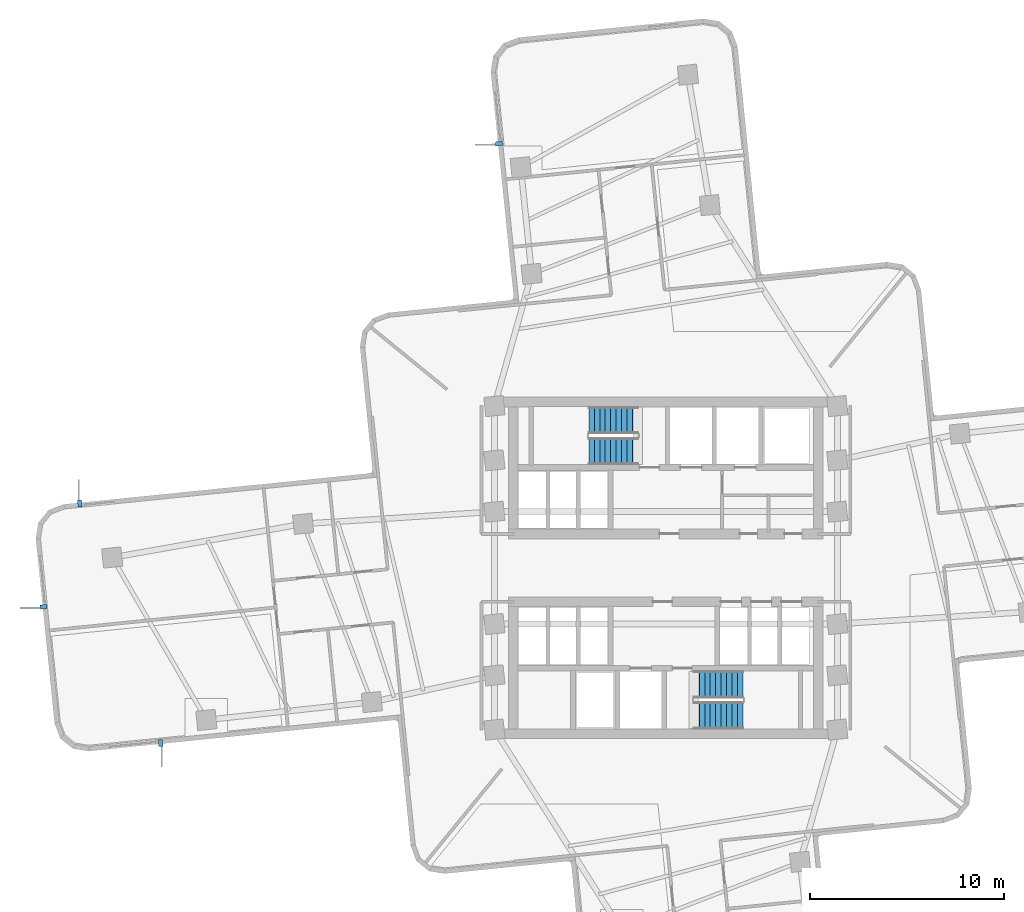
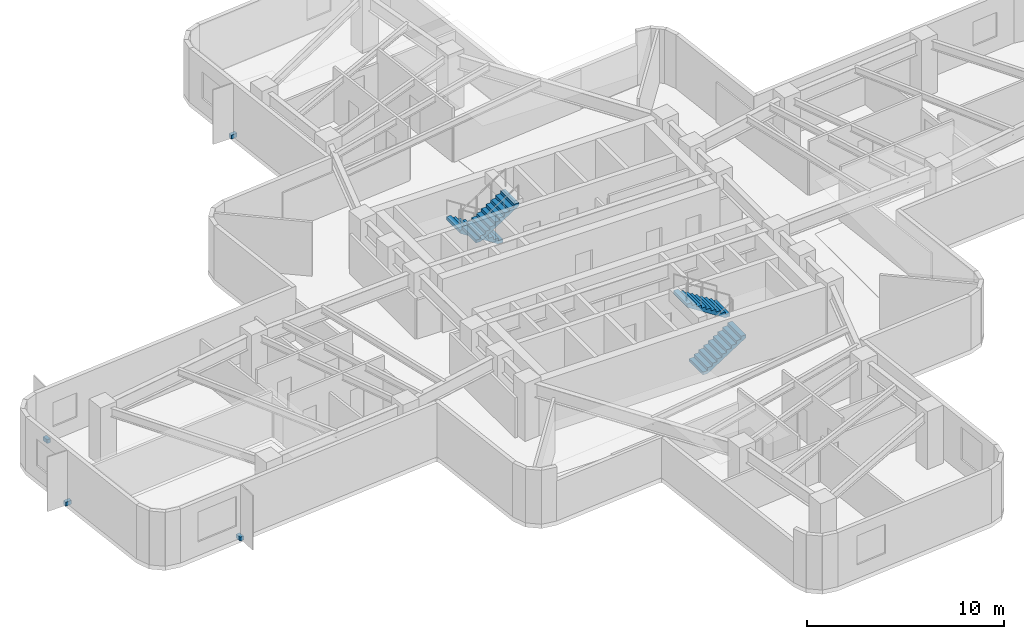
# One storey, part 6 of 9: 4 discrete accessories, 4 stair flights, 2 elements without a shape of their own.
"""IFC4 building model written with IfcOpenShell, lengths in metres."""

from ifc_helpers import new_model, si_unit, direction, frame, origin, origin_2d, place, context, subcontext, project, spatial, polyline, rectangle, outline, extrude, material, type_object, element, aggregate, save


model = new_model("IFC4")

# Units and contexts
model_context = context("Model", 3, precision=1e-05, world=origin(), true_north=direction((0.0, 1.0)))
body_context = subcontext(model_context, "Body", "Model", "MODEL_VIEW")
ifc_project = project(units=[si_unit("LENGTHUNIT", "METRE"), si_unit("AREAUNIT", "SQUARE_METRE"), si_unit("VOLUMEUNIT", "CUBIC_METRE"), si_unit("PLANEANGLEUNIT", "RADIAN"), si_unit("MASSUNIT", "GRAM", prefix="KILO")], contexts=[model_context])

# Site, building, storey
site_placement = place(None, origin())
site = spatial("IfcSite", under=ifc_project, at=site_placement, CompositionType="ELEMENT")
building_placement = place(site_placement, origin())
building = spatial("IfcBuilding", under=site, at=building_placement, Name="Solmarez Civic Tower", CompositionType="ELEMENT")
storey_placement = place(building_placement, frame((0.0, 0.0, 71.280029296875)))
storey = spatial("IfcBuildingStorey", under=building, at=storey_placement, Name="L18", CompositionType="ELEMENT", Elevation=71.280029296875)

# Stair, stair flights
ifc_material_1 = material(Name="Concrete C50/60", Category="concrete")
stair_type = type_object("IfcStairType", Name="STAIR-DOGLEG-140W-20R-1800", PredefinedType="HALF_TURN_STAIR", material=ifc_material_1)
stair_1_placement = place(storey_placement, origin())
stair_1 = element("IfcStair", 1, at=stair_1_placement, inside=storey, type_object=stair_type, Name="L18 North Core Protected Exit Stair ST-1", PredefinedType="HALF_TURN_STAIR")
stair_flight_type = type_object("IfcStairFlightType", Name="FLIGHT-DOGLEG-140W-10R-1800", PredefinedType="STRAIGHT", material=ifc_material_1)
stair_flight_1_placement = place(storey_placement, frame((-1.449951171875, 7.6201171875, 0.0), z_axis=(0.0, 0.0, 1.0), x_axis=(-1.0, 0.0, 0.0)))
stair_flight_1 = element("IfcStairFlight", 2, at=stair_flight_1_placement, type_object=stair_flight_type, Name="ST-1 flight 1", NumberOfRisers=10, NumberOfTreads=9, PredefinedType="STRAIGHT", RiserHeight=0.18, TreadLength=0.28, context=body_context, shape_type="SweptSolid", body=[
    extrude(outline(polyline([(0.0, 0.0), (0.0, 0.179931640625), (0.280029296875, 0.179931640625), (0.280029296875, 0.360107421875), (0.56005859375, 0.360107421875), (0.56005859375, 0.5400390625), (0.840087890625, 0.5400390625), (0.840087890625, 0.719970703125), (1.1201171875, 0.719970703125), (1.1201171875, 0.89990234375), (1.39990234375, 0.89990234375), (1.39990234375, 1.080078125), (1.679931640625, 1.080078125), (1.679931640625, 1.260009765625), (1.9599609375, 1.260009765625), (1.9599609375, 1.43994140625), (2.239990234375, 1.43994140625), (2.239990234375, 1.6201171875), (2.52001953125, 1.6201171875), (2.52001953125, 1.800048828125), (2.52001953125, 1.429931640625), (0.295654296875, 0.0), (0.0, 0.0)])), frame((0.0, 0.699951171875, 0.0), z_axis=(0.0, -1.0, 0.0), x_axis=(1.0, 0.0, 0.0)), (0.0, 0.0, 1.0), 1.39990234375),
])
stair_flight_2_placement = place(storey_placement, frame((-3.969970703125, 6.02001953125, 1.800048828125), z_axis=(0.0, 0.0, 1.0), x_axis=(1.0, 0.0, 0.0)))
stair_flight_2 = element("IfcStairFlight", 3, at=stair_flight_2_placement, type_object=stair_flight_type, Name="ST-1 flight 2", NumberOfRisers=10, NumberOfTreads=9, PredefinedType="STRAIGHT", RiserHeight=0.18, TreadLength=0.28, context=body_context, shape_type="SweptSolid", body=[
    extrude(outline(polyline([(0.0, 0.0), (0.0, 0.179931640625), (0.280029296875, 0.179931640625), (0.280029296875, 0.360107421875), (0.56005859375, 0.360107421875), (0.56005859375, 0.5400390625), (0.840087890625, 0.5400390625), (0.840087890625, 0.719970703125), (1.1201171875, 0.719970703125), (1.1201171875, 0.89990234375), (1.39990234375, 0.89990234375), (1.39990234375, 1.080078125), (1.679931640625, 1.080078125), (1.679931640625, 1.260009765625), (1.9599609375, 1.260009765625), (1.9599609375, 1.43994140625), (2.239990234375, 1.43994140625), (2.239990234375, 1.6201171875), (2.52001953125, 1.6201171875), (2.52001953125, 1.800048828125), (2.52001953125, 1.429931640625), (0.295654296875, 0.0), (0.0, 0.0)])), frame((0.0, 0.699951171875, 0.0), z_axis=(0.0, -1.0, 0.0), x_axis=(1.0, 0.0, 0.0)), (0.0, 0.0, 1.0), 1.39990234375),
])
aggregate(stair_1, [stair_flight_1, stair_flight_2])

stair_2_placement = place(storey_placement, origin())
stair_2 = element("IfcStair", 4, at=stair_2_placement, inside=storey, type_object=stair_type, Name="L18 South Core Protected Exit Stair ST-2", PredefinedType="HALF_TURN_STAIR")
stair_flight_3_placement = place(storey_placement, frame((1.449951171875, -7.6201171875, 0.0), z_axis=(0.0, 0.0, 1.0), x_axis=(1.0, 0.0, 0.0)))
stair_flight_3 = element("IfcStairFlight", 5, at=stair_flight_3_placement, type_object=stair_flight_type, Name="ST-2 flight 1", NumberOfRisers=10, NumberOfTreads=9, PredefinedType="STRAIGHT", RiserHeight=0.18, TreadLength=0.28, context=body_context, shape_type="SweptSolid", body=[
    extrude(outline(polyline([(0.0, 0.0), (0.0, 0.179931640625), (0.280029296875, 0.179931640625), (0.280029296875, 0.360107421875), (0.56005859375, 0.360107421875), (0.56005859375, 0.5400390625), (0.840087890625, 0.5400390625), (0.840087890625, 0.719970703125), (1.1201171875, 0.719970703125), (1.1201171875, 0.89990234375), (1.39990234375, 0.89990234375), (1.39990234375, 1.080078125), (1.679931640625, 1.080078125), (1.679931640625, 1.260009765625), (1.9599609375, 1.260009765625), (1.9599609375, 1.43994140625), (2.239990234375, 1.43994140625), (2.239990234375, 1.6201171875), (2.52001953125, 1.6201171875), (2.52001953125, 1.800048828125), (2.52001953125, 1.429931640625), (0.295654296875, 0.0), (0.0, 0.0)])), frame((0.0, 0.699951171875, 0.0), z_axis=(0.0, -1.0, 0.0), x_axis=(1.0, 0.0, 0.0)), (0.0, 0.0, 1.0), 1.39990234375),
])
stair_flight_4_placement = place(storey_placement, frame((3.969970703125, -6.02001953125, 1.800048828125), z_axis=(0.0, 0.0, 1.0), x_axis=(-1.0, 0.0, 0.0)))
stair_flight_4 = element("IfcStairFlight", 6, at=stair_flight_4_placement, type_object=stair_flight_type, Name="ST-2 flight 2", NumberOfRisers=10, NumberOfTreads=9, PredefinedType="STRAIGHT", RiserHeight=0.18, TreadLength=0.28, context=body_context, shape_type="SweptSolid", body=[
    extrude(outline(polyline([(0.0, 0.0), (0.0, 0.179931640625), (0.280029296875, 0.179931640625), (0.280029296875, 0.360107421875), (0.56005859375, 0.360107421875), (0.56005859375, 0.5400390625), (0.840087890625, 0.5400390625), (0.840087890625, 0.719970703125), (1.1201171875, 0.719970703125), (1.1201171875, 0.89990234375), (1.39990234375, 0.89990234375), (1.39990234375, 1.080078125), (1.679931640625, 1.080078125), (1.679931640625, 1.260009765625), (1.9599609375, 1.260009765625), (1.9599609375, 1.43994140625), (2.239990234375, 1.43994140625), (2.239990234375, 1.6201171875), (2.52001953125, 1.6201171875), (2.52001953125, 1.800048828125), (2.52001953125, 1.429931640625), (0.295654296875, 0.0), (0.0, 0.0)])), frame((0.0, 0.699951171875, 0.0), z_axis=(0.0, -1.0, 0.0), x_axis=(1.0, 0.0, 0.0)), (0.0, 0.0, 1.0), 1.39990234375),
])
aggregate(stair_2, [stair_flight_3, stair_flight_4])

# Discrete accessories
ifc_material_2 = material(Name="Stainless Steel Grade 1.4401", Category="steel")
discrete_accessory_type = type_object("IfcDiscreteAccessoryType", Name="BRACKET-SS-FIN", PredefinedType="BRACKET", material=ifc_material_2)
for number, where, z_axis, x_axis, name in (
    (7, (-26.0791015625, -9.0419921875, -0.06005859375), (0.0, 0.0, 1.0), (0.10109106031, -0.994877177105, 0.0), "L18 Stainless Fin Support Bracket FIN-L18-01"),
    (8, (-32.1201171875, -2.012939453125, -0.06005859375), (0.0, 0.0, 1.0), (-0.994880775402, -0.101055641781, 0.0), "L18 Stainless Fin Support Bracket FIN-L18-02"),
    (9, (-30.2490234375, 3.320068359375, -0.06005859375), (0.0, 0.0, 1.0), (-0.10109106031, 0.994877177105, 0.0), "L18 Stainless Fin Support Bracket FIN-L18-03"),
    (10, (-8.616943359375, 21.89990234375, -0.06005859375), (0.0, 0.0, 1.0), (-0.994880248816, -0.10106082582, 0.0), "L18 Stainless Fin Support Bracket FIN-L18-04"),
):
    element("IfcDiscreteAccessory", number, at=place(storey_placement, frame(where, z_axis=z_axis, x_axis=x_axis)), inside=storey, type_object=discrete_accessory_type, Name=name, PredefinedType="BRACKET", context=body_context, shape_type="SweptSolid", body=[
        extrude(rectangle(XDim=0.360107421875, YDim=0.219970703125, at=origin_2d()), origin(), (0.0, 0.0, 1.0), 0.239990234375),
    ])

save(model, "model.ifc")
